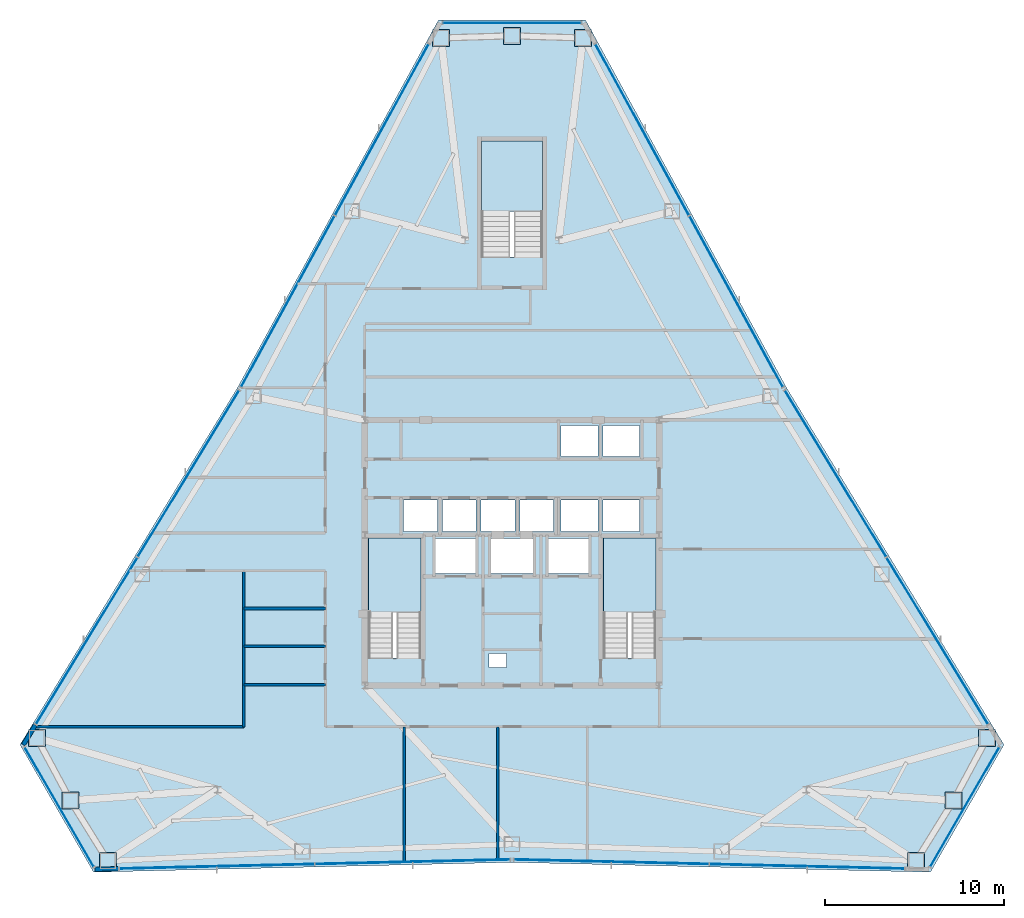
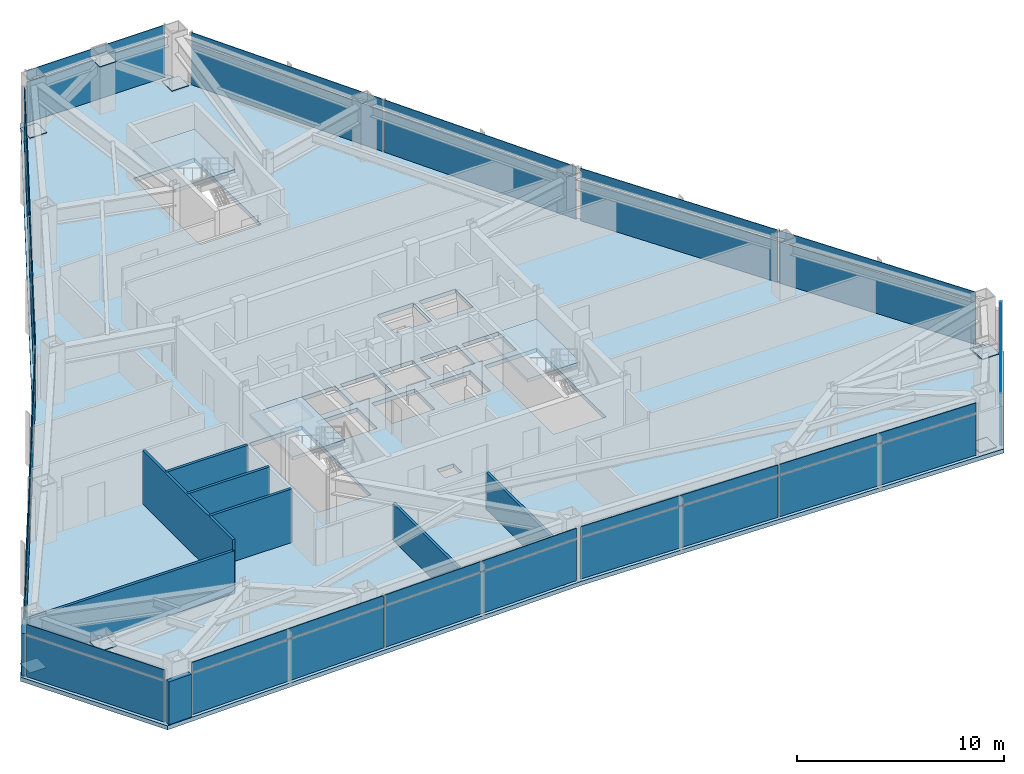
# One storey, part 8 of 12: 39 plates, 9 walls, 4 slabs, 12 elements without a shape of their own.
"""IFC4 building model written with IfcOpenShell, lengths in metres."""

from ifc_helpers import new_model, si_unit, direction, frame, frame_2d, origin, origin_2d, place, context, subcontext, project, spatial, polyline, rectangle, outline, extrude, source, transform, mapped, material, layer, layer_set, type_object, type_shapes, element, aggregate, save


model = new_model("IFC4")

# Units and contexts
model_context = context("Model", 3, precision=1e-05, world=origin(), true_north=direction((0.0, 1.0)))
body_context = subcontext(model_context, "Body", "Model", "MODEL_VIEW")
ifc_project = project(units=[si_unit("LENGTHUNIT", "METRE"), si_unit("AREAUNIT", "SQUARE_METRE"), si_unit("VOLUMEUNIT", "CUBIC_METRE"), si_unit("PLANEANGLEUNIT", "RADIAN"), si_unit("MASSUNIT", "GRAM", prefix="KILO")], contexts=[model_context])

# Site, building, storey
site_placement = place(None, origin())
site = spatial("IfcSite", under=ifc_project, at=site_placement, CompositionType="ELEMENT")
building_placement = place(site_placement, origin())
building = spatial("IfcBuilding", under=site, at=building_placement, Name="Varakhsha Concourse Tower", CompositionType="ELEMENT")
storey_placement = place(building_placement, frame((0.0, 0.0, 153.949951171875)))
storey = spatial("IfcBuildingStorey", under=building, at=storey_placement, Name="L44", CompositionType="ELEMENT", Elevation=153.949951171875)

# Slab
ifc_material_1 = material(Name="Concrete fc 45 MPa", Category="concrete")
ifc_layer_1 = layer(ifc_material_1, 0.239990234375, Name="SL-FLR-240")
ifc_layer_set_1 = layer_set([ifc_layer_1], Name="Concrete fc 45 MPa")
slab_type_1 = type_object("IfcSlabType", Name="SL-FLR-240", PredefinedType="FLOOR", material=ifc_layer_set_1)
slab_1_placement = place(storey_placement, frame((0.0, 0.0, -0.239990234375)))
element("IfcSlab", 1, at=slab_1_placement, inside=storey, type_object=slab_type_1, Name="L44 Composite Structural Slab", PredefinedType="FLOOR", context=body_context, shape_type="SweptSolid", body=[
    extrude(outline(polyline([(44.10009765625, 53.49853515625), (35.89990234375, 53.49853515625), (24.711181640625, 33.027099609375), (12.57666015625, 13.101318359375), (16.6767578125, 6.0), (40.0, 6.5458984375), (63.3232421875, 6.0), (67.42333984375, 13.101318359375), (55.288818359375, 33.027099609375), (44.10009765625, 53.49853515625)]), holes=[polyline([(34.919921875, 17.93994140625), (34.919921875, 24.6298828125), (32.0, 24.6298828125), (32.0, 17.93994140625), (34.919921875, 17.93994140625)]), polyline([(48.02001953125, 17.93994140625), (48.02001953125, 24.6298828125), (45.10009765625, 24.6298828125), (45.10009765625, 17.93994140625), (48.02001953125, 17.93994140625)]), polyline([(41.699951171875, 40.300048828125), (41.699951171875, 46.75), (38.300048828125, 46.75), (38.300048828125, 40.300048828125), (41.699951171875, 40.300048828125)]), polyline([(33.9599609375, 25.0), (35.840087890625, 25.0), (35.840087890625, 26.739990234375), (33.9599609375, 26.739990234375), (33.9599609375, 25.0)]), polyline([(36.1201171875, 25.0), (38.0, 25.0), (38.0, 26.739990234375), (36.1201171875, 26.739990234375), (36.1201171875, 25.0)]), polyline([(38.280029296875, 25.0), (40.159912109375, 25.0), (40.159912109375, 26.739990234375), (38.280029296875, 26.739990234375), (38.280029296875, 25.0)]), polyline([(40.43994140625, 25.0), (42.320068359375, 25.0), (42.320068359375, 26.739990234375), (40.43994140625, 26.739990234375), (40.43994140625, 25.0)]), polyline([(42.739990234375, 29.159912109375), (44.780029296875, 29.159912109375), (44.780029296875, 30.89990234375), (42.739990234375, 30.89990234375), (42.739990234375, 29.159912109375)]), polyline([(45.06005859375, 29.159912109375), (47.10009765625, 29.159912109375), (47.10009765625, 30.89990234375), (45.06005859375, 30.89990234375), (45.06005859375, 29.159912109375)]), polyline([(42.739990234375, 25.0), (44.780029296875, 25.0), (44.780029296875, 26.739990234375), (42.739990234375, 26.739990234375), (42.739990234375, 25.0)]), polyline([(45.06005859375, 25.0), (47.10009765625, 25.0), (47.10009765625, 26.739990234375), (45.06005859375, 26.739990234375), (45.06005859375, 25.0)]), polyline([(35.7099609375, 22.639892578125), (37.989990234375, 22.639892578125), (37.989990234375, 24.60009765625), (35.7099609375, 24.60009765625), (35.7099609375, 22.639892578125)]), polyline([(42.010009765625, 22.639892578125), (44.2900390625, 22.639892578125), (44.2900390625, 24.60009765625), (42.010009765625, 24.60009765625), (42.010009765625, 22.639892578125)]), polyline([(38.81005859375, 22.639892578125), (41.18994140625, 22.639892578125), (41.18994140625, 24.60009765625), (38.81005859375, 24.60009765625), (38.81005859375, 22.639892578125)]), polyline([(38.719970703125, 17.39990234375), (39.679931640625, 17.39990234375), (39.679931640625, 18.199951171875), (38.719970703125, 18.199951171875), (38.719970703125, 17.39990234375)])]), origin(), (0.0, 0.0, 1.0), 0.239990234375),
])

# Stair, slab
stair_type_1 = type_object("IfcStairType", Name="ST-DOGLEG-1360", PredefinedType="HALF_TURN_STAIR", material=ifc_material_1)
stair_1_placement = place(storey_placement, origin())
stair_1 = element("IfcStair", 2, at=stair_1_placement, inside=storey, type_object=stair_type_1, Name="L44 Protected Exit Stair ST1", PredefinedType="HALF_TURN_STAIR")
ifc_layer_2 = layer(ifc_material_1, 0.199951171875, Name="SL-LAND-200")
ifc_layer_set_2 = layer_set([ifc_layer_2], Name="Concrete fc 45 MPa")
slab_type_2 = type_object("IfcSlabType", Name="SL-LAND-200", PredefinedType="LANDING", material=ifc_layer_set_2)
slab_2_placement = place(storey_placement, frame((0.0, 0.0, 1.525146484375)))
slab_2 = element("IfcSlab", 3, at=slab_2_placement, type_object=slab_type_2, Name="ST1 landing 1", PredefinedType="LANDING", context=body_context, shape_type="SweptSolid", body=[
    extrude(outline(polyline([(34.919921875, 20.4599609375), (34.919921875, 24.6298828125), (32.0, 24.6298828125), (32.0, 20.4599609375), (34.919921875, 20.4599609375)])), origin(), (0.0, 0.0, 1.0), 0.199951171875),
])
aggregate(stair_1, [slab_2])

stair_2_placement = place(storey_placement, origin())
stair_2 = element("IfcStair", 4, at=stair_2_placement, inside=storey, type_object=stair_type_1, Name="L44 Protected Exit Stair ST2", PredefinedType="HALF_TURN_STAIR")
slab_3_placement = place(storey_placement, frame((0.0, 0.0, 1.525146484375)))
slab_3 = element("IfcSlab", 5, at=slab_3_placement, type_object=slab_type_2, Name="ST2 landing 1", PredefinedType="LANDING", context=body_context, shape_type="SweptSolid", body=[
    extrude(outline(polyline([(48.02001953125, 20.4599609375), (48.02001953125, 24.6298828125), (45.10009765625, 24.6298828125), (45.10009765625, 20.4599609375), (48.02001953125, 20.4599609375)])), origin(), (0.0, 0.0, 1.0), 0.199951171875),
])
aggregate(stair_2, [slab_3])

stair_type_2 = type_object("IfcStairType", Name="ST-DOGLEG-1600", PredefinedType="HALF_TURN_STAIR", material=ifc_material_1)
stair_3_placement = place(storey_placement, origin())
stair_3 = element("IfcStair", 6, at=stair_3_placement, inside=storey, type_object=stair_type_2, Name="L44 Protected Exit Stair ST5", PredefinedType="HALF_TURN_STAIR")
slab_4_placement = place(storey_placement, frame((0.0, 0.0, 1.525146484375)))
slab_4 = element("IfcSlab", 7, at=slab_4_placement, type_object=slab_type_2, Name="ST5 landing 1", PredefinedType="LANDING", context=body_context, shape_type="SweptSolid", body=[
    extrude(outline(polyline([(41.699951171875, 42.820068359375), (41.699951171875, 46.75), (38.300048828125, 46.75), (38.300048828125, 42.820068359375), (41.699951171875, 42.820068359375)])), origin(), (0.0, 0.0, 1.0), 0.199951171875),
])
aggregate(stair_3, [slab_4])

# Plates
ifc_material_2 = material(Name="Structural Steel ASTM A572 Grade 50", Category="steel")
ifc_layer_3 = layer(ifc_material_2, 0.030029296875, Name="PL-ENDCAP-950")
ifc_layer_set_3 = layer_set([ifc_layer_3], Name="Structural Steel ASTM A572 Grade 50")
plate_type_1 = type_object("IfcPlateType", Name="PL-ENDCAP-950", PredefinedType="USERDEFINED", material=ifc_layer_set_3)
shared_shape_1 = source(origin(), body_context, "Body", "SweptSolid", [
    extrude(rectangle(XDim=0.949951171875, YDim=0.949951171875, at=origin_2d()), origin(), (0.0, 0.0, 1.0), 0.030029296875),
])
type_shapes(plate_type_1, [shared_shape_1])
for number, where, z_axis, x_axis, name in (
    (8, (43.959716796875, 52.496337890625, 0.10498046875), (0.0, 0.0, 1.0), (1.0, 0.0, 0.0), "Hollow Section End Cap GP-NODE-L44-0424"),
    (9, (40.0, 52.61865234375, 2.8349609375), (0.0, 0.0, 1.0), (1.0, 0.0, 0.0), "Hollow Section End Cap GP-NODE-L44-0425"),
    (10, (36.040283203125, 52.496337890625, 0.10498046875), (0.0, 0.0, 1.0), (1.0, 0.0, 0.0), "Hollow Section End Cap GP-NODE-L44-0426"),
    (11, (13.514892578125, 13.481201171875, 0.10498046875), (0.0, 0.0, 1.0), (1.0, 0.0, 0.0), "Hollow Section End Cap GP-NODE-L44-0427"),
    (12, (15.388916015625, 9.99072265625, 2.8349609375), (0.0, 0.0, 1.0), (1.0, 0.0, 0.0), "Hollow Section End Cap GP-NODE-L44-0428"),
    (13, (17.474609375, 6.62255859375, 0.10498046875), (0.0, 0.0, 1.0), (1.0, 0.0, 0.0), "Hollow Section End Cap GP-NODE-L44-0429"),
    (14, (62.525390625, 6.62255859375, 0.10498046875), (0.0, 0.0, 1.0), (1.0, 0.0, 0.0), "Hollow Section End Cap GP-NODE-L44-0430"),
    (15, (64.611083984375, 9.99072265625, 2.8349609375), (0.0, 0.0, 1.0), (1.0, 0.0, 0.0), "Hollow Section End Cap GP-NODE-L44-0431"),
    (16, (66.485107421875, 13.481201171875, 0.10498046875), (0.0, 0.0, 1.0), (1.0, 0.0, 0.0), "Hollow Section End Cap GP-NODE-L44-0432"),
):
    element("IfcPlate", number, at=place(storey_placement, frame(where, z_axis=z_axis, x_axis=x_axis)), inside=storey, type_object=plate_type_1, Name=name, ObjectType="END PLATE", PredefinedType="USERDEFINED", context=body_context, shape_type="MappedRepresentation", body=[
        mapped(shared_shape_1, transform((0.0, 0.0, 0.0), scale=1.0)),
    ])

# Curtain wall, plate
ifc_material_3 = material(Name="Anodised Bronze Architectural Aluminium AA 6063-T6", Category="aluminium")
ifc_layer_4 = layer(ifc_material_3, 0.2099609375, Name="CW-SYS-04")
ifc_layer_set_4 = layer_set([ifc_layer_4], Name="Anodised Bronze Architectural Aluminium AA 6063-T6")
curtain_wall_type = type_object("IfcCurtainWallType", Name="CW-SYS-04", PredefinedType="NOTDEFINED", material=ifc_layer_set_4)
curtain_wall_1_placement = place(storey_placement, origin())
curtain_wall_1 = element("IfcCurtainWall", 17, at=curtain_wall_1_placement, inside=storey, type_object=curtain_wall_type, Name="L44 Crystal Curtain Wall F2", PredefinedType="NOTDEFINED")
ifc_material_4 = material(Name="Glazed Turquoise-Bronze Ceramic Spandrel Panel 38 mm", Category="ceramic")
ifc_layer_5 = layer(ifc_material_4, 0.0380859375, Name="CWP-SPN-38")
ifc_layer_set_5 = layer_set([ifc_layer_5], Name="Glazed Turquoise-Bronze Ceramic Spandrel Panel 38 mm")
plate_type_2 = type_object("IfcPlateType", Name="CWP-SPN-38", PredefinedType="USERDEFINED", material=ifc_layer_set_5)
shared_shape_2 = source(origin(), body_context, "Body", "SweptSolid", [
    extrude(rectangle(XDim=10.835693359375, YDim=0.0380859375, at=origin_2d()), origin(), (0.0, 0.0, 1.0), 0.5810546875),
])
plate_1_placement = place(storey_placement, frame((27.50732421875, 37.809326171875, 2.534423828125), z_axis=(0.0, 0.0, 1.0), x_axis=(0.479595701913, 0.877489579828, 0.0)))
plate_1 = element("IfcPlate", 18, at=plate_1_placement, type_object=plate_type_2, Name="CW-L44-F2 Panel 00-01", ObjectType="SPANDREL", PredefinedType="USERDEFINED", context=body_context, shape_type="MappedRepresentation", body=[
    mapped(shared_shape_2, transform((0.0, 0.0, 0.0), scale=1.0)),
])

curtain_wall_2_placement = place(storey_placement, origin())
curtain_wall_2 = element("IfcCurtainWall", 19, at=curtain_wall_2_placement, inside=storey, type_object=curtain_wall_type, Name="L44 Crystal Curtain Wall F3", PredefinedType="NOTDEFINED")
plate_2_placement = place(storey_placement, frame((16.29052734375, 18.89208984375, 2.534423828125), z_axis=(0.0, 0.0, 1.0), x_axis=(0.520125944735, 0.854089574701, 0.0)))
plate_2 = element("IfcPlate", 20, at=plate_2_placement, type_object=plate_type_2, Name="CW-L44-F3 Panel 00-01", ObjectType="SPANDREL", PredefinedType="USERDEFINED", context=body_context, shape_type="MappedRepresentation", body=[
    mapped(shared_shape_2, transform((0.0, 0.0, 0.0), scale=1.0)),
])

curtain_wall_3_placement = place(storey_placement, origin())
curtain_wall_3 = element("IfcCurtainWall", 21, at=curtain_wall_3_placement, inside=storey, type_object=curtain_wall_type, Name="L44 Crystal Curtain Wall F5", PredefinedType="NOTDEFINED")
plate_3_placement = place(storey_placement, frame((34.46044921875, 6.576416015625, 2.534423828125), z_axis=(0.0, 0.0, 1.0), x_axis=(-0.999726077797, -0.023404473363, 0.0)))
plate_3 = element("IfcPlate", 22, at=plate_3_placement, type_object=plate_type_2, Name="CW-L44-F5 Panel 00-01", ObjectType="SPANDREL", PredefinedType="USERDEFINED", context=body_context, shape_type="MappedRepresentation", body=[
    mapped(shared_shape_2, transform((0.0, 0.0, 0.0), scale=1.0)),
])

curtain_wall_4_placement = place(storey_placement, origin())
curtain_wall_4 = element("IfcCurtainWall", 23, at=curtain_wall_4_placement, inside=storey, type_object=curtain_wall_type, Name="L44 Crystal Curtain Wall F6", PredefinedType="NOTDEFINED")
plate_4_placement = place(storey_placement, frame((56.451416015625, 6.32080078125, 2.534423828125), z_axis=(0.0, 0.0, 1.0), x_axis=(-0.999726077797, 0.023404473363, 0.0)))
plate_4 = element("IfcPlate", 24, at=plate_4_placement, type_object=plate_type_2, Name="CW-L44-F6 Panel 00-01", ObjectType="SPANDREL", PredefinedType="USERDEFINED", context=body_context, shape_type="MappedRepresentation", body=[
    mapped(shared_shape_2, transform((0.0, 0.0, 0.0), scale=1.0)),
])

curtain_wall_5_placement = place(storey_placement, origin())
curtain_wall_5 = element("IfcCurtainWall", 25, at=curtain_wall_5_placement, inside=storey, type_object=curtain_wall_type, Name="L44 Crystal Curtain Wall F8", PredefinedType="NOTDEFINED")
plate_5_placement = place(storey_placement, frame((58.0322265625, 28.21435546875, 2.534423828125), z_axis=(0.0, 0.0, 1.0), x_axis=(0.520125944735, -0.854089574701, 0.0)))
plate_5 = element("IfcPlate", 26, at=plate_5_placement, type_object=plate_type_2, Name="CW-L44-F8 Panel 00-01", ObjectType="SPANDREL", PredefinedType="USERDEFINED", context=body_context, shape_type="MappedRepresentation", body=[
    mapped(shared_shape_2, transform((0.0, 0.0, 0.0), scale=1.0)),
])

curtain_wall_6_placement = place(storey_placement, origin())
curtain_wall_6 = element("IfcCurtainWall", 27, at=curtain_wall_6_placement, inside=storey, type_object=curtain_wall_type, Name="L44 Crystal Curtain Wall F9", PredefinedType="NOTDEFINED")
plate_6_placement = place(storey_placement, frame((47.2578125, 47.386962890625, 2.534423828125), z_axis=(0.0, 0.0, 1.0), x_axis=(0.479595701913, -0.877489579828, 0.0)))
plate_6 = element("IfcPlate", 28, at=plate_6_placement, type_object=plate_type_2, Name="CW-L44-F9 Panel 00-01", ObjectType="SPANDREL", PredefinedType="USERDEFINED", context=body_context, shape_type="MappedRepresentation", body=[
    mapped(shared_shape_2, transform((0.0, 0.0, 0.0), scale=1.0)),
])

# Plate
shared_shape_3 = source(origin(), body_context, "Body", "SweptSolid", [
    extrude(rectangle(XDim=10.8359375, YDim=0.0380859375, at=origin_2d()), origin(), (0.0, 0.0, 1.0), 0.5810546875),
])
plate_7_placement = place(storey_placement, frame((32.741943359375, 47.386962890625, 2.534423828125), z_axis=(0.0, 0.0, 1.0), x_axis=(0.479595701913, 0.877489579828, 0.0)))
plate_7 = element("IfcPlate", 29, at=plate_7_placement, type_object=plate_type_2, Name="CW-L44-F2 Panel 01-01", ObjectType="SPANDREL", PredefinedType="USERDEFINED", context=body_context, shape_type="MappedRepresentation", body=[
    mapped(shared_shape_3, transform((0.0, 0.0, 0.0), scale=1.0)),
])

plate_8_placement = place(storey_placement, frame((21.967529296875, 28.21435546875, 2.534423828125), z_axis=(0.0, 0.0, 1.0), x_axis=(0.520125944735, 0.854089574701, 0.0)))
plate_8 = element("IfcPlate", 30, at=plate_8_placement, type_object=plate_type_2, Name="CW-L44-F3 Panel 01-01", ObjectType="SPANDREL", PredefinedType="USERDEFINED", context=body_context, shape_type="MappedRepresentation", body=[
    mapped(shared_shape_3, transform((0.0, 0.0, 0.0), scale=1.0)),
])

plate_9_placement = place(storey_placement, frame((23.548583984375, 6.32080078125, 2.534423828125), z_axis=(0.0, 0.0, 1.0), x_axis=(-0.999726077797, -0.023404473363, 0.0)))
plate_9 = element("IfcPlate", 31, at=plate_9_placement, type_object=plate_type_2, Name="CW-L44-F5 Panel 01-01", ObjectType="SPANDREL", PredefinedType="USERDEFINED", context=body_context, shape_type="MappedRepresentation", body=[
    mapped(shared_shape_3, transform((0.0, 0.0, 0.0), scale=1.0)),
])

plate_10_placement = place(storey_placement, frame((45.53955078125, 6.576416015625, 2.534423828125), z_axis=(0.0, 0.0, 1.0), x_axis=(-0.999726077797, 0.023404473363, 0.0)))
plate_10 = element("IfcPlate", 32, at=plate_10_placement, type_object=plate_type_2, Name="CW-L44-F6 Panel 01-01", ObjectType="SPANDREL", PredefinedType="USERDEFINED", context=body_context, shape_type="MappedRepresentation", body=[
    mapped(shared_shape_3, transform((0.0, 0.0, 0.0), scale=1.0)),
])

plate_11_placement = place(storey_placement, frame((63.70947265625, 18.89208984375, 2.534423828125), z_axis=(0.0, 0.0, 1.0), x_axis=(0.520125944735, -0.854089574701, 0.0)))
plate_11 = element("IfcPlate", 33, at=plate_11_placement, type_object=plate_type_2, Name="CW-L44-F8 Panel 01-01", ObjectType="SPANDREL", PredefinedType="USERDEFINED", context=body_context, shape_type="MappedRepresentation", body=[
    mapped(shared_shape_3, transform((0.0, 0.0, 0.0), scale=1.0)),
])

plate_12_placement = place(storey_placement, frame((52.49267578125, 37.809326171875, 2.534423828125), z_axis=(0.0, 0.0, 1.0), x_axis=(0.479595701913, -0.877489579828, 0.0)))
plate_12 = element("IfcPlate", 34, at=plate_12_placement, type_object=plate_type_2, Name="CW-L44-F9 Panel 01-01", ObjectType="SPANDREL", PredefinedType="USERDEFINED", context=body_context, shape_type="MappedRepresentation", body=[
    mapped(shared_shape_3, transform((0.0, 0.0, 0.0), scale=1.0)),
])

# Curtain wall, plate
curtain_wall_7_placement = place(storey_placement, origin())
curtain_wall_7 = element("IfcCurtainWall", 35, at=curtain_wall_7_placement, inside=storey, type_object=curtain_wall_type, Name="L44 Chamfer Curtain Wall F1", PredefinedType="NOTDEFINED")
ifc_material_5 = material(Name="Insulated Anodised Bronze Aluminium Spandrel 36 mm", Category="aluminium")
ifc_layer_6 = layer(ifc_material_5, 0.035888671875, Name="CWP-SPN-36")
ifc_layer_set_6 = layer_set([ifc_layer_6], Name="Insulated Anodised Bronze Aluminium Spandrel 36 mm")
plate_type_3 = type_object("IfcPlateType", Name="CWP-SPN-36", PredefinedType="USERDEFINED", material=ifc_layer_set_6)
shared_shape_4 = source(origin(), body_context, "Body", "SweptSolid", [
    extrude(rectangle(XDim=7.680908203125, YDim=0.035888671875, at=origin_2d()), origin(), (0.0, 0.0, 1.0), 2.430908203125),
])
type_shapes(plate_type_3, [shared_shape_4])
plate_13_placement = place(storey_placement, frame((40.0, 53.338623046875, 0.03466796875), z_axis=(0.0, 0.0, 1.0), x_axis=(1.0, 0.0, 0.0)))
plate_13 = element("IfcPlate", 36, at=plate_13_placement, type_object=plate_type_3, Name="CW-L44-F1 Panel 00-00", ObjectType="SPANDREL", PredefinedType="USERDEFINED", context=body_context, shape_type="MappedRepresentation", body=[
    mapped(shared_shape_4, transform((0.0, 0.0, 0.0), scale=1.0)),
])

curtain_wall_8_placement = place(storey_placement, origin())
curtain_wall_8 = element("IfcCurtainWall", 37, at=curtain_wall_8_placement, inside=storey, type_object=curtain_wall_type, Name="L44 Chamfer Curtain Wall F4", PredefinedType="NOTDEFINED")
plate_14_placement = place(storey_placement, frame((14.765380859375, 9.630615234375, 0.03466796875), z_axis=(0.0, 0.0, 1.0), x_axis=(-0.499996976998, 0.866027149108, 0.0)))
plate_14 = element("IfcPlate", 38, at=plate_14_placement, type_object=plate_type_3, Name="CW-L44-F4 Panel 00-00", ObjectType="SPANDREL", PredefinedType="USERDEFINED", context=body_context, shape_type="MappedRepresentation", body=[
    mapped(shared_shape_4, transform((0.0, 0.0, 0.0), scale=1.0)),
])

curtain_wall_9_placement = place(storey_placement, origin())
curtain_wall_9 = element("IfcCurtainWall", 39, at=curtain_wall_9_placement, inside=storey, type_object=curtain_wall_type, Name="L44 Chamfer Curtain Wall F7", PredefinedType="NOTDEFINED")
plate_15_placement = place(storey_placement, frame((65.234619140625, 9.630615234375, 0.03466796875), z_axis=(0.0, 0.0, 1.0), x_axis=(-0.499996976998, -0.866027149108, 0.0)))
plate_15 = element("IfcPlate", 40, at=plate_15_placement, type_object=plate_type_3, Name="CW-L44-F7 Panel 00-00", ObjectType="SPANDREL", PredefinedType="USERDEFINED", context=body_context, shape_type="MappedRepresentation", body=[
    mapped(shared_shape_4, transform((0.0, 0.0, 0.0), scale=1.0)),
])

# Plate
shared_shape_5 = source(origin(), body_context, "Body", "SweptSolid", [
    extrude(rectangle(XDim=7.680908203125, YDim=0.0380859375, at=origin_2d()), origin(), (0.0, 0.0, 1.0), 0.5810546875),
])
type_shapes(plate_type_2, [shared_shape_2, shared_shape_3, shared_shape_5])
plate_16_placement = place(storey_placement, frame((40.0, 53.338623046875, 2.534423828125), z_axis=(0.0, 0.0, 1.0), x_axis=(1.0, 0.0, 0.0)))
plate_16 = element("IfcPlate", 41, at=plate_16_placement, type_object=plate_type_2, Name="CW-L44-F1 Panel 00-01", ObjectType="SPANDREL", PredefinedType="USERDEFINED", context=body_context, shape_type="MappedRepresentation", body=[
    mapped(shared_shape_5, transform((0.0, 0.0, 0.0), scale=1.0)),
])

aggregate(curtain_wall_7, [plate_13, plate_16])

plate_17_placement = place(storey_placement, frame((14.765380859375, 9.630615234375, 2.534423828125), z_axis=(0.0, 0.0, 1.0), x_axis=(-0.499996976998, 0.866027149108, 0.0)))
plate_17 = element("IfcPlate", 42, at=plate_17_placement, type_object=plate_type_2, Name="CW-L44-F4 Panel 00-01", ObjectType="SPANDREL", PredefinedType="USERDEFINED", context=body_context, shape_type="MappedRepresentation", body=[
    mapped(shared_shape_5, transform((0.0, 0.0, 0.0), scale=1.0)),
])

aggregate(curtain_wall_8, [plate_14, plate_17])

plate_18_placement = place(storey_placement, frame((65.234619140625, 9.630615234375, 2.534423828125), z_axis=(0.0, 0.0, 1.0), x_axis=(-0.499996976998, -0.866027149108, 0.0)))
plate_18 = element("IfcPlate", 43, at=plate_18_placement, type_object=plate_type_2, Name="CW-L44-F7 Panel 00-01", ObjectType="SPANDREL", PredefinedType="USERDEFINED", context=body_context, shape_type="MappedRepresentation", body=[
    mapped(shared_shape_5, transform((0.0, 0.0, 0.0), scale=1.0)),
])

aggregate(curtain_wall_9, [plate_15, plate_18])

ifc_material_6 = material(Name="Low-E Triple Insulating Glass IGU 44 mm", Category="glass")
ifc_layer_7 = layer(ifc_material_6, 0.0439453125, Name="CWP-IGU-44")
ifc_layer_set_7 = layer_set([ifc_layer_7], Name="Low-E Triple Insulating Glass IGU 44 mm")
plate_type_4 = type_object("IfcPlateType", Name="CWP-IGU-44", PredefinedType="CURTAIN_PANEL", material=ifc_layer_set_7)
shared_shape_6 = source(origin(), body_context, "Body", "SweptSolid", [
    extrude(rectangle(XDim=10.835693359375, YDim=0.0439453125, at=origin_2d()), origin(), (0.0, 0.0, 1.0), 2.430908203125),
])
plate_19_placement = place(storey_placement, frame((27.50732421875, 37.809326171875, 0.03466796875), z_axis=(0.0, 0.0, 1.0), x_axis=(0.479595701913, 0.877489579828, 0.0)))
plate_19 = element("IfcPlate", 44, at=plate_19_placement, type_object=plate_type_4, Name="CW-L44-F2 Panel 00-00", PredefinedType="CURTAIN_PANEL", context=body_context, shape_type="MappedRepresentation", body=[
    mapped(shared_shape_6, transform((0.0, 0.0, 0.0), scale=1.0)),
])

plate_20_placement = place(storey_placement, frame((16.29052734375, 18.89208984375, 0.03466796875), z_axis=(0.0, 0.0, 1.0), x_axis=(0.520125944735, 0.854089574701, 0.0)))
plate_20 = element("IfcPlate", 45, at=plate_20_placement, type_object=plate_type_4, Name="CW-L44-F3 Panel 00-00", PredefinedType="CURTAIN_PANEL", context=body_context, shape_type="MappedRepresentation", body=[
    mapped(shared_shape_6, transform((0.0, 0.0, 0.0), scale=1.0)),
])

plate_21_placement = place(storey_placement, frame((34.46044921875, 6.576416015625, 0.03466796875), z_axis=(0.0, 0.0, 1.0), x_axis=(-0.999726077797, -0.023404473363, 0.0)))
plate_21 = element("IfcPlate", 46, at=plate_21_placement, type_object=plate_type_4, Name="CW-L44-F5 Panel 00-00", PredefinedType="CURTAIN_PANEL", context=body_context, shape_type="MappedRepresentation", body=[
    mapped(shared_shape_6, transform((0.0, 0.0, 0.0), scale=1.0)),
])

plate_22_placement = place(storey_placement, frame((56.451416015625, 6.32080078125, 0.03466796875), z_axis=(0.0, 0.0, 1.0), x_axis=(-0.999726077797, 0.023404473363, 0.0)))
plate_22 = element("IfcPlate", 47, at=plate_22_placement, type_object=plate_type_4, Name="CW-L44-F6 Panel 00-00", PredefinedType="CURTAIN_PANEL", context=body_context, shape_type="MappedRepresentation", body=[
    mapped(shared_shape_6, transform((0.0, 0.0, 0.0), scale=1.0)),
])

plate_23_placement = place(storey_placement, frame((58.0322265625, 28.21435546875, 0.03466796875), z_axis=(0.0, 0.0, 1.0), x_axis=(0.520125944735, -0.854089574701, 0.0)))
plate_23 = element("IfcPlate", 48, at=plate_23_placement, type_object=plate_type_4, Name="CW-L44-F8 Panel 00-00", PredefinedType="CURTAIN_PANEL", context=body_context, shape_type="MappedRepresentation", body=[
    mapped(shared_shape_6, transform((0.0, 0.0, 0.0), scale=1.0)),
])

plate_24_placement = place(storey_placement, frame((47.2578125, 47.386962890625, 0.03466796875), z_axis=(0.0, 0.0, 1.0), x_axis=(0.479595701913, -0.877489579828, 0.0)))
plate_24 = element("IfcPlate", 49, at=plate_24_placement, type_object=plate_type_4, Name="CW-L44-F9 Panel 00-00", PredefinedType="CURTAIN_PANEL", context=body_context, shape_type="MappedRepresentation", body=[
    mapped(shared_shape_6, transform((0.0, 0.0, 0.0), scale=1.0)),
])

shared_shape_7 = source(origin(), body_context, "Body", "SweptSolid", [
    extrude(rectangle(XDim=10.8359375, YDim=0.0439453125, at=origin_2d()), origin(), (0.0, 0.0, 1.0), 2.430908203125),
])
type_shapes(plate_type_4, [shared_shape_6, shared_shape_7])
plate_25_placement = place(storey_placement, frame((32.741943359375, 47.386962890625, 0.03466796875), z_axis=(0.0, 0.0, 1.0), x_axis=(0.479595701913, 0.877489579828, 0.0)))
plate_25 = element("IfcPlate", 50, at=plate_25_placement, type_object=plate_type_4, Name="CW-L44-F2 Panel 01-00", PredefinedType="CURTAIN_PANEL", context=body_context, shape_type="MappedRepresentation", body=[
    mapped(shared_shape_7, transform((0.0, 0.0, 0.0), scale=1.0)),
])

aggregate(curtain_wall_1, [plate_19, plate_1, plate_25, plate_7])

plate_26_placement = place(storey_placement, frame((21.967529296875, 28.21435546875, 0.03466796875), z_axis=(0.0, 0.0, 1.0), x_axis=(0.520125944735, 0.854089574701, 0.0)))
plate_26 = element("IfcPlate", 51, at=plate_26_placement, type_object=plate_type_4, Name="CW-L44-F3 Panel 01-00", PredefinedType="CURTAIN_PANEL", context=body_context, shape_type="MappedRepresentation", body=[
    mapped(shared_shape_7, transform((0.0, 0.0, 0.0), scale=1.0)),
])

aggregate(curtain_wall_2, [plate_20, plate_2, plate_26, plate_8])

plate_27_placement = place(storey_placement, frame((23.548583984375, 6.32080078125, 0.03466796875), z_axis=(0.0, 0.0, 1.0), x_axis=(-0.999726077797, -0.023404473363, 0.0)))
plate_27 = element("IfcPlate", 52, at=plate_27_placement, type_object=plate_type_4, Name="CW-L44-F5 Panel 01-00", PredefinedType="CURTAIN_PANEL", context=body_context, shape_type="MappedRepresentation", body=[
    mapped(shared_shape_7, transform((0.0, 0.0, 0.0), scale=1.0)),
])

aggregate(curtain_wall_3, [plate_21, plate_3, plate_27, plate_9])

plate_28_placement = place(storey_placement, frame((45.53955078125, 6.576416015625, 0.03466796875), z_axis=(0.0, 0.0, 1.0), x_axis=(-0.999726077797, 0.023404473363, 0.0)))
plate_28 = element("IfcPlate", 53, at=plate_28_placement, type_object=plate_type_4, Name="CW-L44-F6 Panel 01-00", PredefinedType="CURTAIN_PANEL", context=body_context, shape_type="MappedRepresentation", body=[
    mapped(shared_shape_7, transform((0.0, 0.0, 0.0), scale=1.0)),
])

aggregate(curtain_wall_4, [plate_22, plate_4, plate_28, plate_10])

plate_29_placement = place(storey_placement, frame((63.70947265625, 18.89208984375, 0.03466796875), z_axis=(0.0, 0.0, 1.0), x_axis=(0.520125944735, -0.854089574701, 0.0)))
plate_29 = element("IfcPlate", 54, at=plate_29_placement, type_object=plate_type_4, Name="CW-L44-F8 Panel 01-00", PredefinedType="CURTAIN_PANEL", context=body_context, shape_type="MappedRepresentation", body=[
    mapped(shared_shape_7, transform((0.0, 0.0, 0.0), scale=1.0)),
])

aggregate(curtain_wall_5, [plate_23, plate_5, plate_29, plate_11])

plate_30_placement = place(storey_placement, frame((52.49267578125, 37.809326171875, 0.03466796875), z_axis=(0.0, 0.0, 1.0), x_axis=(0.479595701913, -0.877489579828, 0.0)))
plate_30 = element("IfcPlate", 55, at=plate_30_placement, type_object=plate_type_4, Name="CW-L44-F9 Panel 01-00", PredefinedType="CURTAIN_PANEL", context=body_context, shape_type="MappedRepresentation", body=[
    mapped(shared_shape_7, transform((0.0, 0.0, 0.0), scale=1.0)),
])

aggregate(curtain_wall_6, [plate_24, plate_6, plate_30, plate_12])

# Walls
ifc_layer_8 = layer(ifc_material_1, 0.239990234375, Name="WL-EXT-CRN-240")
ifc_layer_set_8 = layer_set([ifc_layer_8], Name="Concrete fc 45 MPa")
wall_type_1 = type_object("IfcWallType", Name="WL-EXT-CRN-240", PredefinedType="SHEAR", material=ifc_layer_set_8)
for number, where, z_axis, x_axis, name in (
    (56, (13.4326171875, 14.198974609375, 0.0), (0.0, 0.0, 1.0), (-0.520210782009, -0.854037904476, 0.0), "L44 Wind-Corner Shoulder Wall F3"),
    (57, (16.763916015625, 6.162109375, 0.0), (0.0, 0.0, 1.0), (0.999725281916, 0.023438444878, 0.0), "L44 Wind-Corner Shoulder Wall F5"),
):
    element("IfcWall", number, at=place(storey_placement, frame(where, z_axis=z_axis, x_axis=x_axis)), inside=storey, type_object=wall_type_1, Name=name, PredefinedType="SHEAR", context=body_context, shape_type="SweptSolid", body=[
        extrude(rectangle(XDim=1.29150390625, YDim=0.239990234375, at=frame_2d((0.645751953125, 0.0))), origin(), (0.0, 0.0, 1.0), 2.52294921875),
    ])
ifc_material_7 = material(Name="Fire-Rated Type X Gypsum Partition Assembly", Category="gypsum")
ifc_layer_9 = layer(ifc_material_7, 0.14990234375, Name="WL-PART-150")
ifc_layer_set_9 = layer_set([ifc_layer_9], Name="Fire-Rated Type X Gypsum Partition Assembly")
wall_type_2 = type_object("IfcWallType", Name="WL-PART-150", PredefinedType="PARTITIONING", material=ifc_layer_set_9)
wall_1_placement = place(storey_placement, frame((25.050048828125, 14.10009765625, 0.0), z_axis=(0.0, 0.0, 1.0), x_axis=(0.0, 1.0, 0.0)))
element("IfcWall", 58, at=wall_1_placement, inside=storey, type_object=wall_type_2, Name="L44 Wall C2WC-W-L44", PredefinedType="PARTITIONING", context=body_context, shape_type="SweptSolid", body=[
    extrude(rectangle(XDim=8.699951171875, YDim=0.14990234375, at=frame_2d((4.35009765625, 0.0))), origin(), (0.0, 0.0, 1.0), 3.150146484375),
])
for number, where, z_axis, x_axis, name in (
    (59, (25.050048828125, 16.449951171875, 0.0), (0.0, 0.0, 1.0), (1.0, 0.0, 0.0), "L44 Wall C2WC-S-L44"),
    (60, (25.050048828125, 18.60009765625, 0.0), (0.0, 0.0, 1.0), (1.0, 0.0, 0.0), "L44 Wall C2WC-D1-L44"),
    (61, (25.050048828125, 20.699951171875, 0.0), (0.0, 0.0, 1.0), (1.0, 0.0, 0.0), "L44 Wall C2WC-D2-L44"),
):
    element("IfcWall", number, at=place(storey_placement, frame(where, z_axis=z_axis, x_axis=x_axis)), inside=storey, type_object=wall_type_2, Name=name, PredefinedType="PARTITIONING", context=body_context, shape_type="SweptSolid", body=[
        extrude(rectangle(XDim=4.550048828125, YDim=0.14990234375, at=frame_2d((2.27490234375, 0.0))), origin(), (0.0, 0.0, 1.0), 3.150146484375),
    ])
wall_2_placement = place(storey_placement, frame((34.0, 6.570556640625, 0.0), z_axis=(0.0, 0.0, 1.0), x_axis=(0.0, 1.0, 0.0)))
element("IfcWall", 62, at=wall_2_placement, inside=storey, type_object=wall_type_2, Name="L44 Wall ODIV-S1-L44", PredefinedType="PARTITIONING", context=body_context, shape_type="SweptSolid", body=[
    extrude(rectangle(XDim=7.529541015625, YDim=0.14990234375, at=frame_2d((3.7646484375, 0.0))), origin(), (0.0, 0.0, 1.0), 2.1650390625),
])
wall_3_placement = place(storey_placement, frame((39.199951171875, 6.6923828125, 0.0), z_axis=(0.0, 0.0, 1.0), x_axis=(0.0, 1.0, 0.0)))
element("IfcWall", 63, at=wall_3_placement, inside=storey, type_object=wall_type_2, Name="L44 Wall ODIV-S2-L44", PredefinedType="PARTITIONING", context=body_context, shape_type="SweptSolid", body=[
    extrude(rectangle(XDim=7.40771484375, YDim=0.14990234375, at=frame_2d((3.703857421875, 0.0))), origin(), (0.0, 0.0, 1.0), 2.1650390625),
])
wall_4_placement = place(storey_placement, frame((13.3779296875, 14.10009765625, 0.0), z_axis=(0.0, 0.0, 1.0), x_axis=(1.0, 0.0, 0.0)))
element("IfcWall", 64, at=wall_4_placement, inside=storey, type_object=wall_type_2, Name="L44 Wall ODIV-SWB-L44", PredefinedType="PARTITIONING", context=body_context, shape_type="SweptSolid", body=[
    extrude(rectangle(XDim=11.672119140625, YDim=0.14990234375, at=frame_2d((5.8359375, 0.0))), origin(), (0.0, 0.0, 1.0), 2.529052734375),
])

save(model, "model.ifc")
